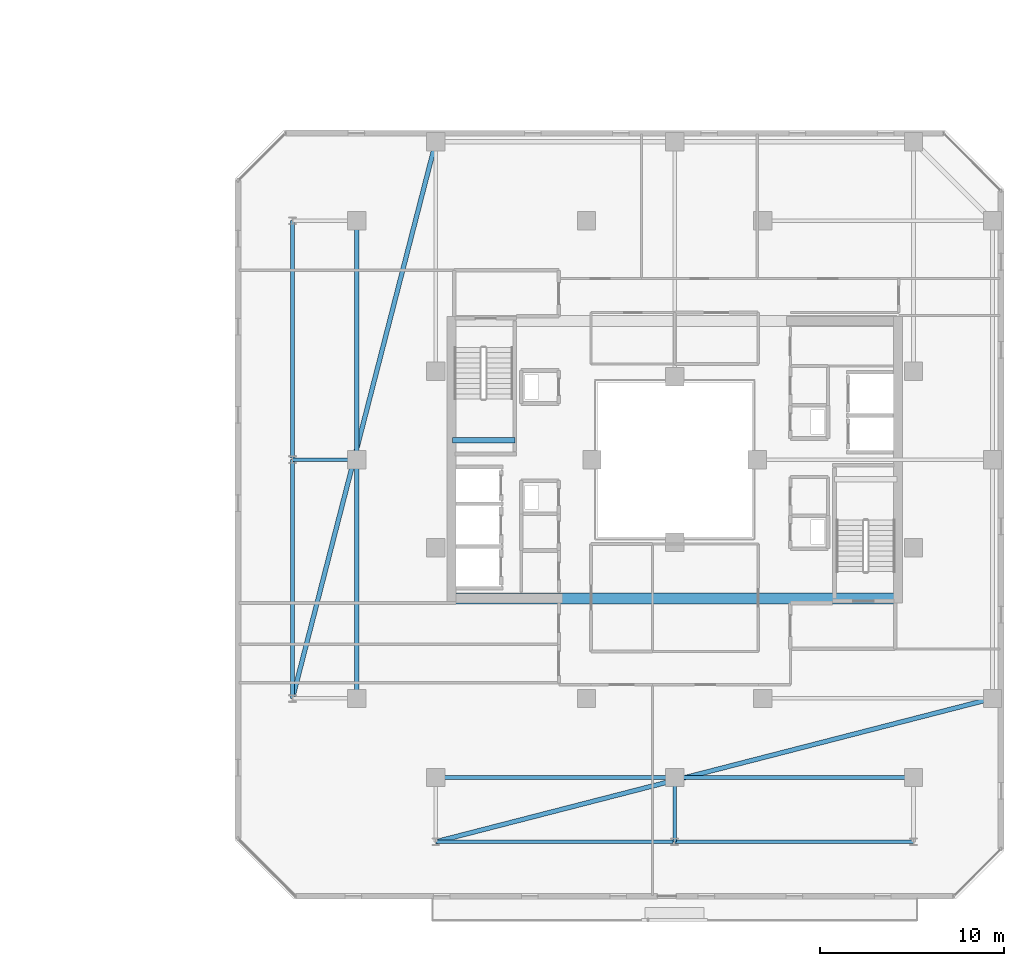
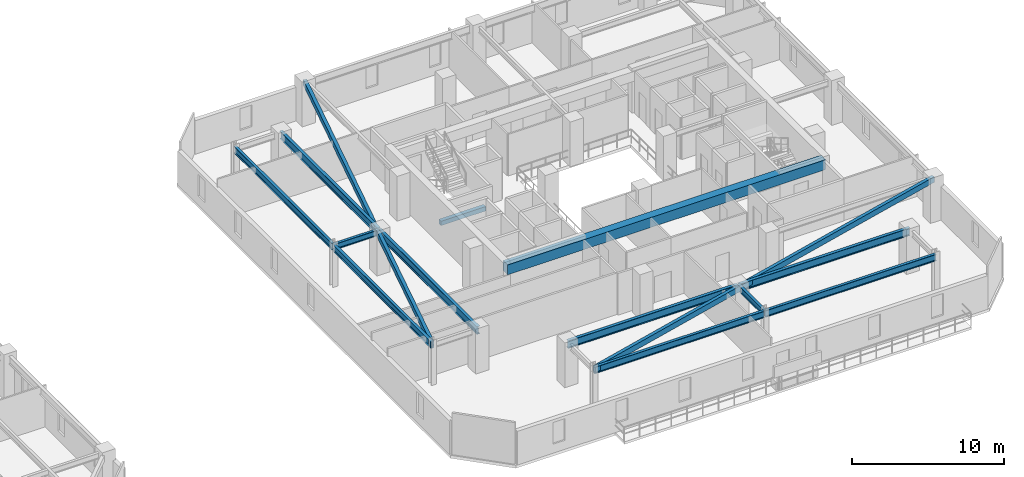
# One storey, part 12 of 33: 14 beams.
"""IFC4 building model written with IfcOpenShell, lengths in metres."""

from ifc_helpers import new_model, si_unit, direction, frame, origin, origin_2d, place, context, subcontext, project, spatial, rectangle, hollow_rectangle, i_section, extrude, material, material_profile, profile_set, type_object, element, save


model = new_model("IFC4")

# Units and contexts
model_context = context("Model", 3, precision=1e-05, world=origin(), true_north=direction((0.0, 1.0)))
body_context = subcontext(model_context, "Body", "Model", "MODEL_VIEW")
ifc_project = project(units=[si_unit("LENGTHUNIT", "METRE"), si_unit("AREAUNIT", "SQUARE_METRE"), si_unit("VOLUMEUNIT", "CUBIC_METRE"), si_unit("PLANEANGLEUNIT", "RADIAN"), si_unit("MASSUNIT", "GRAM", prefix="KILO")], contexts=[model_context])

# Site, building, storey
site_placement = place(None, origin())
site = spatial("IfcSite", under=ifc_project, at=site_placement, CompositionType="ELEMENT")
building_placement = place(site_placement, origin())
building = spatial("IfcBuilding", under=site, at=building_placement, Name="Thornwick Lancets Civic Towers", CompositionType="ELEMENT")
storey_placement = place(building_placement, frame((0.0, 0.0, 214.5)))
storey = spatial("IfcBuildingStorey", under=building, at=storey_placement, Name="L57", CompositionType="ELEMENT", Elevation=214.5)

# Beams
ifc_material_1 = material(Name="Concrete C60/75", Category="concrete")
ifc_material_profile_1 = material_profile(ifc_material_1, rectangle(XDim=0.60009765625, YDim=0.800048828125, at=origin_2d()), Name="RC 600x800")
ifc_profile_set_1 = profile_set([ifc_material_profile_1], Name="Concrete C60/75")
beam_type_1 = type_object("IfcBeamType", Name="BM_COUP_RC800", PredefinedType="BEAM", material=ifc_profile_set_1)
beam_1_placement = place(storey_placement, frame((76.39990234375, 19.449951171875, 2.9599609375), z_axis=(1.0, 0.0, 0.0), x_axis=(0.0, 1.0, 0.0)))
element("IfcBeam", 1, at=beam_1_placement, inside=storey, type_object=beam_type_1, Name="CB-L57-B2", PredefinedType="BEAM", context=body_context, shape_type="SweptSolid", body=[
    extrude(rectangle(XDim=0.60009765625, YDim=0.800048828125, at=origin_2d()), origin(), (0.0, 0.0, 1.0), 24.2001953125),
])
ifc_material_2 = material(Name="Steel S355JR", Category="steel")
ifc_material_profile_2 = material_profile(ifc_material_2, i_section(OverallWidth=0.210693359375, OverallDepth=0.53955078125, WebThickness=0.01171875, FlangeThickness=0.018798828125, FilletRadius=0.0126953125, at=origin_2d()), Name="UKB 533x210x109")
ifc_profile_set_2 = profile_set([ifc_material_profile_2], Name="Steel S355JR")
beam_type_2 = type_object("IfcBeamType", Name="BM_EDGE_533_109", PredefinedType="SPANDREL", material=ifc_profile_set_2)
beam_2_placement = place(storey_placement, frame((67.699951171875, 14.0, 3.09033203125), z_axis=(0.0, 1.0, 0.0), x_axis=(-1.0, 0.0, 0.0)))
element("IfcBeam", 2, at=beam_2_placement, inside=storey, type_object=beam_type_2, Name="BM-EDGE-L57-B-S2-1", PredefinedType="SPANDREL", context=body_context, shape_type="SweptSolid", body=[
    extrude(i_section(OverallWidth=0.210693359375, OverallDepth=0.53955078125, WebThickness=0.01171875, FlangeThickness=0.018798828125, FilletRadius=0.0126953125, at=origin_2d()), origin(), (0.0, 0.0, 1.0), 13.0),
])
beam_3_placement = place(storey_placement, frame((67.699951171875, 27.080078125, 3.09033203125), z_axis=(0.0, 1.0, 0.0), x_axis=(-1.0, 0.0, 0.0)))
element("IfcBeam", 3, at=beam_3_placement, inside=storey, type_object=beam_type_2, Name="BM-EDGE-L57-B-S2-2", PredefinedType="SPANDREL", context=body_context, shape_type="SweptSolid", body=[
    extrude(i_section(OverallWidth=0.210693359375, OverallDepth=0.53955078125, WebThickness=0.01171875, FlangeThickness=0.018798828125, FilletRadius=0.0126953125, at=origin_2d()), origin(), (0.0, 0.0, 1.0), 12.919921875),
])
beam_4_placement = place(storey_placement, frame((101.5, 6.199951171875, 3.09033203125), z_axis=(-1.0, 0.0, 0.0), x_axis=(0.0, -1.0, 0.0)))
element("IfcBeam", 4, at=beam_4_placement, inside=storey, type_object=beam_type_2, Name="BM-EDGE-L57-B-S3-1", PredefinedType="SPANDREL", context=body_context, shape_type="SweptSolid", body=[
    extrude(i_section(OverallWidth=0.210693359375, OverallDepth=0.53955078125, WebThickness=0.01171875, FlangeThickness=0.018798828125, FilletRadius=0.0126953125, at=origin_2d()), origin(), (0.0, 0.0, 1.0), 13.0),
])
beam_5_placement = place(storey_placement, frame((88.419921875, 6.199951171875, 3.09033203125), z_axis=(-1.0, 0.0, 0.0), x_axis=(0.0, -1.0, 0.0)))
element("IfcBeam", 5, at=beam_5_placement, inside=storey, type_object=beam_type_2, Name="BM-EDGE-L57-B-S3-2", PredefinedType="SPANDREL", context=body_context, shape_type="SweptSolid", body=[
    extrude(i_section(OverallWidth=0.210693359375, OverallDepth=0.53955078125, WebThickness=0.01171875, FlangeThickness=0.018798828125, FilletRadius=0.0126953125, at=origin_2d()), origin(), (0.0, 0.0, 1.0), 12.919921875),
])
ifc_material_profile_3 = material_profile(ifc_material_2, i_section(OverallWidth=0.230224609375, OverallDepth=0.6171875, WebThickness=0.01318359375, FlangeThickness=0.022216796875, FilletRadius=0.0126953125, at=origin_2d()), Name="UKB 610x229x140")
ifc_profile_set_3 = profile_set([ifc_material_profile_3], Name="Steel S355JR")
beam_type_3 = type_object("IfcBeamType", Name="BM_GIRD_610_140", PredefinedType="BEAM", material=ifc_profile_set_3)
beam_6_placement = place(storey_placement, frame((71.199951171875, 14.0, 3.051513671875), z_axis=(0.0, 1.0, 0.0), x_axis=(-1.0, 0.0, 0.0)))
element("IfcBeam", 6, at=beam_6_placement, inside=storey, type_object=beam_type_3, Name="BM-SPINE-L57-B-6-7", PredefinedType="BEAM", context=body_context, shape_type="SweptSolid", body=[
    extrude(i_section(OverallWidth=0.230224609375, OverallDepth=0.6171875, WebThickness=0.01318359375, FlangeThickness=0.022216796875, FilletRadius=0.0126953125, at=origin_2d()), origin(), (0.0, 0.0, 1.0), 13.0),
])
beam_7_placement = place(storey_placement, frame((71.199951171875, 27.080078125, 3.051513671875), z_axis=(0.0, 1.0, 0.0), x_axis=(-1.0, 0.0, 0.0)))
element("IfcBeam", 7, at=beam_7_placement, inside=storey, type_object=beam_type_3, Name="BM-SPINE-L57-B-7-8", PredefinedType="BEAM", context=body_context, shape_type="SweptSolid", body=[
    extrude(i_section(OverallWidth=0.230224609375, OverallDepth=0.6171875, WebThickness=0.01318359375, FlangeThickness=0.022216796875, FilletRadius=0.0126953125, at=origin_2d()), origin(), (0.0, 0.0, 1.0), 12.919921875),
])
beam_8_placement = place(storey_placement, frame((101.5, 9.699951171875, 3.051513671875), z_axis=(-1.0, 0.0, 0.0), x_axis=(0.0, -1.0, 0.0)))
element("IfcBeam", 8, at=beam_8_placement, inside=storey, type_object=beam_type_3, Name="BM-SPINE-L57-B-9-10", PredefinedType="BEAM", context=body_context, shape_type="SweptSolid", body=[
    extrude(i_section(OverallWidth=0.230224609375, OverallDepth=0.6171875, WebThickness=0.01318359375, FlangeThickness=0.022216796875, FilletRadius=0.0126953125, at=origin_2d()), origin(), (0.0, 0.0, 1.0), 13.0),
])
beam_9_placement = place(storey_placement, frame((88.419921875, 9.699951171875, 3.051513671875), z_axis=(-1.0, 0.0, 0.0), x_axis=(0.0, -1.0, 0.0)))
element("IfcBeam", 9, at=beam_9_placement, inside=storey, type_object=beam_type_3, Name="BM-SPINE-L57-B-10-11", PredefinedType="BEAM", context=body_context, shape_type="SweptSolid", body=[
    extrude(i_section(OverallWidth=0.230224609375, OverallDepth=0.6171875, WebThickness=0.01318359375, FlangeThickness=0.022216796875, FilletRadius=0.0126953125, at=origin_2d()), origin(), (0.0, 0.0, 1.0), 12.919921875),
])
ifc_material_profile_4 = material_profile(ifc_material_2, i_section(OverallWidth=0.19287109375, OverallDepth=0.46728515625, WebThickness=0.011474609375, FlangeThickness=0.01953125, FilletRadius=0.01025390625, at=origin_2d()), Name="UKB 457x191x98")
ifc_profile_set_4 = profile_set([ifc_material_profile_4], Name="Steel S355JR")
beam_type_4 = type_object("IfcBeamType", Name="BM_JOIST_457_98", PredefinedType="JOIST", material=ifc_profile_set_4)
for number, where, z_axis, x_axis, name in (
    (10, (71.199951171875, 27.0, 3.12646484375), (-1.0, 0.0, 0.0), (0.0, -1.0, 0.0), "BM-RAD-L57-B08"),
    (11, (88.5, 9.699951171875, 3.12646484375), (0.0, -1.0, 0.0), (1.0, 0.0, 0.0), "BM-RAD-L57-B11"),
):
    element("IfcBeam", number, at=place(storey_placement, frame(where, z_axis=z_axis, x_axis=x_axis)), inside=storey, type_object=beam_type_4, Name=name, PredefinedType="JOIST", context=body_context, shape_type="SweptSolid", body=[
        extrude(i_section(OverallWidth=0.19287109375, OverallDepth=0.46728515625, WebThickness=0.011474609375, FlangeThickness=0.01953125, FilletRadius=0.01025390625, at=origin_2d()), origin(), (0.0, 0.0, 1.0), 3.5),
    ])
ifc_material_profile_5 = material_profile(ifc_material_2, hollow_rectangle(XDim=0.25, YDim=0.449951171875, WallThickness=0.01611328125, at=origin_2d()), Name="RHS 450x250x16")
ifc_profile_set_5 = profile_set([ifc_material_profile_5], Name="Steel S355JR")
beam_type_5 = type_object("IfcBeamType", Name="BM_RING_RHS450", PredefinedType="BEAM", material=ifc_profile_set_5)
for number, where, z_axis, x_axis, name in (
    (12, (75.5, 44.300048828125, 3.135009765625), (-0.249299080716, -0.96842654257, 0.0), (0.96842654257, -0.249299080716, 0.0), "BM-CHAMF-L57-B-C1"),
    (13, (75.5, 6.199951171875, 3.135009765625), (0.96842654257, 0.249299080716, 0.0), (-0.249299080716, 0.96842654257, 0.0), "BM-CHAMF-L57-B-C3"),
):
    element("IfcBeam", number, at=place(storey_placement, frame(where, z_axis=z_axis, x_axis=x_axis)), inside=storey, type_object=beam_type_5, Name=name, PredefinedType="BEAM", context=body_context, shape_type="SweptSolid", body=[
        extrude(hollow_rectangle(XDim=0.25, YDim=0.449951171875, WallThickness=0.01611328125, at=origin_2d()), origin(), (0.0, 0.0, 1.0), 31.287841796875),
    ])
ifc_material_3 = material(Name="Concrete C40/50", Category="concrete")
ifc_material_profile_6 = material_profile(ifc_material_3, rectangle(XDim=0.300048828125, YDim=0.35009765625, at=origin_2d()), Name="RC 300x350")
ifc_profile_set_6 = profile_set([ifc_material_profile_6], Name="Concrete C40/50")
beam_type_6 = type_object("IfcBeamType", Name="BM_STAIR_LDG", PredefinedType="BEAM", material=ifc_profile_set_6)
beam_10_placement = place(storey_placement, frame((76.39990234375, 28.06494140625, 1.3779296875), z_axis=(1.0, 0.0, 0.0), x_axis=(0.0, 1.0, 0.0)))
element("IfcBeam", 14, at=beam_10_placement, inside=storey, type_object=beam_type_6, Name="L57 ST-B2 Landing Support Beam 1", PredefinedType="BEAM", context=body_context, shape_type="SweptSolid", body=[
    extrude(rectangle(XDim=0.300048828125, YDim=0.35009765625, at=origin_2d()), origin(), (0.0, 0.0, 1.0), 3.400146484375),
])

save(model, "model.ifc")
